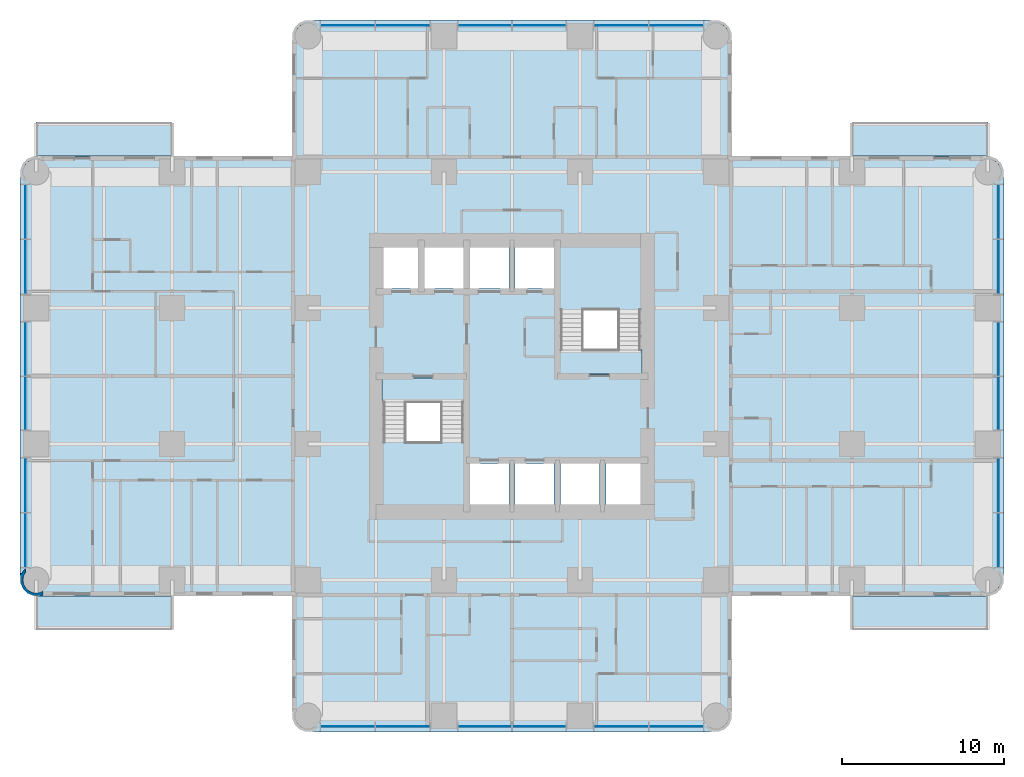
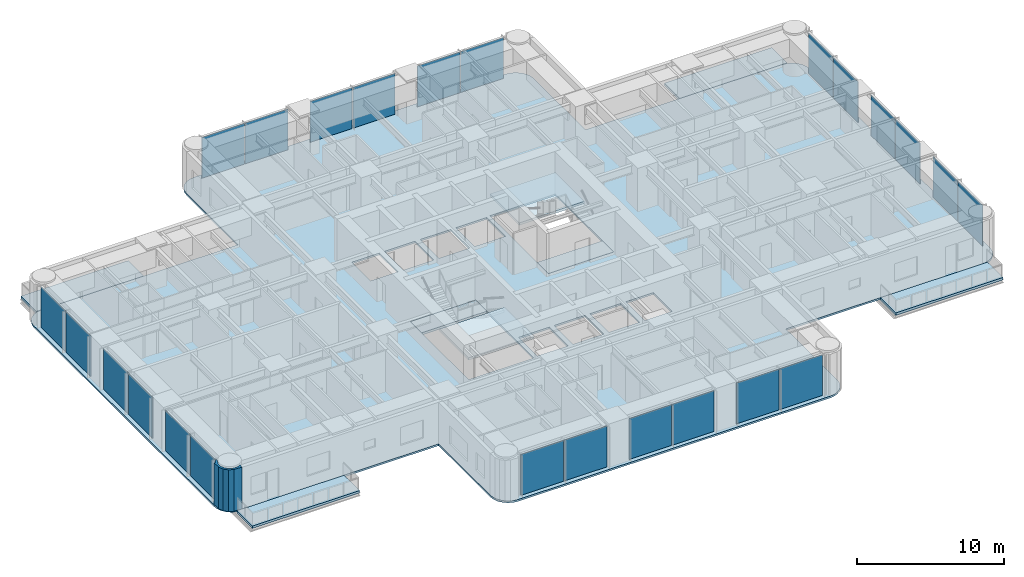
# One storey, part 5 of 14: 24 plates, 9 slabs, 1 wall, 6 elements without a shape of their own.
"""IFC4 building model written with IfcOpenShell, lengths in metres."""

import ifcopenshell
import ifcopenshell.guid

model = None  # the IFC model being written
_history = None  # IfcOwnerHistory: only IFC2X3 demands one
_inside = {}  # id of a spatial element -> (the spatial element, [elements in it])
_under = {}  # id of a project, library or spatial element -> (it, [spatial elements below it])
_declared = {}  # id of a project -> (the project, [libraries it declares])
_typed = {}  # id of a type object -> (the type object, [elements of that type])
_made_of = {}  # id of a material, layer set ... -> (it, [elements and type objects made of it])


def new_model(schema):
    """Start an empty IFC model of exactly this schema.

    Asked for "IFC4X3", IfcOpenShell would pick the latest addendum, in which some entities
    have other attributes; the version numbers below select the first issue.
    IFC2X3 requires an IfcOwnerHistory on every rooted entity: one is made here for all.
    """
    global model, _history
    if schema == "IFC4X3":
        model = ifcopenshell.file(schema_version=(4, 3, 0, 0))
    else:
        model = ifcopenshell.file(schema=schema)
    _inside.clear()
    _under.clear()
    _declared.clear()
    _typed.clear()
    _made_of.clear()
    _history = None
    if model.schema == "IFC2X3":
        org = make("IfcOrganization", Name="unknown")
        user = make(
            "IfcPersonAndOrganization",
            ThePerson=make("IfcPerson", FamilyName="unknown"),
            TheOrganization=org,
        )
        app = make(
            "IfcApplication",
            ApplicationDeveloper=org,
            Version="unknown",
            ApplicationFullName="unknown",
            ApplicationIdentifier="unknown",
        )
        _history = make(
            "IfcOwnerHistory",
            OwningUser=user,
            OwningApplication=app,
            ChangeAction="ADDED",
            CreationDate=0,
        )
    return model


def make(cls, **values):
    """One entity of the class cls with the attributes given. An attribute that is None is left unset."""
    return model.create_entity(
        cls, **{name: value for name, value in values.items() if value is not None}
    )


def rooted(cls, **values):
    """An entity with a GlobalId (a new one), such as an element, a storey or a relation."""
    return make(cls, GlobalId=ifcopenshell.guid.new(), OwnerHistory=_history, **values)


def si_unit(unit_type, name, prefix=None):
    """IfcSIUnit, for example si_unit("LENGTHUNIT", "METRE", prefix="MILLI")."""
    return make("IfcSIUnit", UnitType=unit_type, Prefix=prefix, Name=name)


def assignment(units):
    """IfcUnitAssignment: the units of a project."""
    return None if units is None else make("IfcUnitAssignment", Units=units)


def point(xyz):
    """IfcCartesianPoint."""
    return None if xyz is None else make("IfcCartesianPoint", Coordinates=xyz)


def direction(xyz):
    """IfcDirection."""
    return None if xyz is None else make("IfcDirection", DirectionRatios=xyz)


def frame(location, z_axis=None, x_axis=None):
    """IfcAxis2Placement3D, a coordinate frame: its origin and axes. An axis left out is left unset."""
    return make(
        "IfcAxis2Placement3D",
        Location=point(location),
        Axis=direction(z_axis),
        RefDirection=direction(x_axis),
    )


def frame_2d(location, x_axis=None):
    """IfcAxis2Placement2D, a coordinate frame in the plane: its origin and x axis."""
    return make(
        "IfcAxis2Placement2D", Location=point(location), RefDirection=direction(x_axis)
    )


def origin():
    """The frame at (0, 0, 0) with its axes left unset."""
    return frame((0.0, 0.0, 0.0))


def origin_2d():
    """The frame at (0, 0) in the plane with its x axis left unset."""
    return frame_2d((0.0, 0.0))


def place(relative_to, where):
    """IfcLocalPlacement: puts the frame where relative to a parent placement (None: the world)."""
    return make(
        "IfcLocalPlacement", PlacementRelTo=relative_to, RelativePlacement=where
    )


def context(
    kind, dimensions, precision=None, world=None, true_north=None, identifier=None
):
    """IfcGeometricRepresentationContext, for example the 3D "Model" context."""
    return make(
        "IfcGeometricRepresentationContext",
        ContextIdentifier=identifier,
        ContextType=kind,
        CoordinateSpaceDimension=dimensions,
        Precision=precision,
        WorldCoordinateSystem=world,
        TrueNorth=true_north,
    )


def subcontext(parent, identifier, kind, view, scale=None):
    """IfcGeometricRepresentationSubContext, for example "Body" below "Model"."""
    return make(
        "IfcGeometricRepresentationSubContext",
        ContextIdentifier=identifier,
        ContextType=kind,
        ParentContext=parent,
        TargetScale=scale,
        TargetView=view,
    )


def project(units=None, contexts=None):
    """IfcProject with its units and contexts."""
    return rooted(
        "IfcProject",
        Name="project",
        RepresentationContexts=contexts,
        UnitsInContext=assignment(units),
    )


def spatial(cls, under=None, at=None, **own):
    """A site, building, storey or space (cls), placed at a placement, below another one or the project."""
    s = rooted(cls, ObjectPlacement=at, **own)
    if under is not None:
        _under.setdefault(under.id(), (under, []))[1].append(s)
    return s


def polyline(points):
    """IfcPolyline through the points."""
    return make("IfcPolyline", Points=[point(p) for p in points])


def profile(cls, at=None, kind="AREA", **sizes):
    """A parametric profile (cls). Its sizes go by their IFC names, for example OverallWidth=200.0."""
    return make(cls, ProfileType=kind, Position=at, **sizes)


def rectangle(**sizes):
    """IfcRectangleProfileDef."""
    return profile("IfcRectangleProfileDef", **sizes)


def outline(outer, holes=None, kind="AREA"):
    """IfcArbitraryClosedProfileDef: a profile drawn as a closed curve; with holes, ...WithVoids."""
    if holes is None:
        return make("IfcArbitraryClosedProfileDef", ProfileType=kind, OuterCurve=outer)
    return make(
        "IfcArbitraryProfileDefWithVoids",
        ProfileType=kind,
        OuterCurve=outer,
        InnerCurves=holes,
    )


def extrude(swept, where, along, depth):
    """IfcExtrudedAreaSolid: the profile swept, set in the frame where, extruded along a direction by depth."""
    return make(
        "IfcExtrudedAreaSolid",
        SweptArea=swept,
        Position=where,
        ExtrudedDirection=direction(along),
        Depth=depth,
    )


def shape(context_of_items, identifier, shape_type, items):
    """IfcShapeRepresentation: the items that make up one representation, for example the "Body"."""
    return make(
        "IfcShapeRepresentation",
        ContextOfItems=context_of_items,
        RepresentationIdentifier=identifier,
        RepresentationType=shape_type,
        Items=items,
    )


def material(Name=None, Category=None):
    """IfcMaterial."""
    return make("IfcMaterial", Name=Name, Category=Category)


def layer(
    of_material, thickness, ventilated=None, Name=None, Category=None, Priority=None
):
    """IfcMaterialLayer: one layer of a wall or slab, of a material (None: an air gap)."""
    return make(
        "IfcMaterialLayer",
        Material=of_material,
        LayerThickness=thickness,
        IsVentilated=ventilated,
        Name=Name,
        Category=Category,
        Priority=Priority,
    )


def layer_set(layers, Name=None):
    """IfcMaterialLayerSet."""
    return make("IfcMaterialLayerSet", MaterialLayers=layers, LayerSetName=Name)


def made_of(thing, what):
    """Note that an element or type object is made of a material, layer set ...; save() writes the relation."""
    if what is not None:
        _made_of.setdefault(what.id(), (what, []))[1].append(thing)
    return thing


def type_object(cls, material=None, **own):
    """A type object (cls), such as IfcWallType, which elements share."""
    return made_of(rooted(cls, **own), material)


def element(
    cls,
    number,
    at=None,
    inside=None,
    cuts=None,
    type_object=None,
    material=None,
    context=None,
    identifier="Body",
    shape_type=None,
    held_by="IfcProductDefinitionShape",
    body=None,
    shapes=None,
    **own,
):
    """One element of the class cls, such as IfcWall. Its Tag is "e" and its number.

    at: its placement. inside: the storey or other place that contains it. cuts: it is an
    opening in that element (IfcRelVoidsElement). A single representation is given by context,
    identifier, shape_type and body (its items); several are given by shapes. held_by: the class
    of the entity that holds the representations. save() writes the other relations.
    """
    e = rooted(cls, Tag="e%d" % number, ObjectPlacement=at, **own)
    if body is not None:
        shapes = [shape(context, identifier, shape_type, body)]
    if shapes is not None:
        e.Representation = make(held_by, Representations=shapes)
    if inside is not None:
        _inside.setdefault(inside.id(), (inside, []))[1].append(e)
    if cuts is not None:
        rooted(
            "IfcRelVoidsElement", RelatingBuildingElement=cuts, RelatedOpeningElement=e
        )
    if type_object is not None:
        _typed.setdefault(type_object.id(), (type_object, []))[1].append(e)
    return made_of(e, material)


def aggregate(whole, parts):
    """IfcRelAggregates: a whole, such as a stair, and the parts it consists of."""
    return rooted("IfcRelAggregates", RelatingObject=whole, RelatedObjects=parts)


def save(model, path):
    """Write the relations noted so far, then the file.

    IfcRelAggregates (storeys below a building ...), IfcRelContainedInSpatialStructure (elements
    in a storey), IfcRelDefinesByType, IfcRelAssociatesMaterial and IfcRelDeclares: one each for
    every whole, place, type object, material and project.
    """
    for whole, parts in _under.values():
        aggregate(whole, parts)
    for where, things in _inside.values():
        rooted(
            "IfcRelContainedInSpatialStructure",
            RelatedElements=things,
            RelatingStructure=where,
        )
    for kind, things in _typed.values():
        rooted("IfcRelDefinesByType", RelatedObjects=things, RelatingType=kind)
    for what, things in _made_of.values():
        rooted("IfcRelAssociatesMaterial", RelatedObjects=things, RelatingMaterial=what)
    for by, libraries in _declared.values():
        rooted("IfcRelDeclares", RelatingContext=by, RelatedDefinitions=libraries)
    model.write(path)


model = new_model("IFC4")

# Units and contexts
model_context = context("Model", 3, precision=1e-05, world=origin(), true_north=direction((0.0, 1.0)))
body_context = subcontext(model_context, "Body", "Model", "MODEL_VIEW")
ifc_project = project(units=[si_unit("LENGTHUNIT", "METRE"), si_unit("AREAUNIT", "SQUARE_METRE"), si_unit("VOLUMEUNIT", "CUBIC_METRE"), si_unit("PLANEANGLEUNIT", "RADIAN"), si_unit("MASSUNIT", "GRAM", prefix="KILO")], contexts=[model_context])

# Site, building, storey
site_placement = place(None, origin())
site = spatial("IfcSite", under=ifc_project, at=site_placement, CompositionType="ELEMENT")
building_placement = place(site_placement, origin())
building = spatial("IfcBuilding", under=site, at=building_placement, Name="Torre Alcanfor", CompositionType="ELEMENT")
storey_placement = place(building_placement, frame((0.0, 0.0, 162.89990234375)))
storey = spatial("IfcBuildingStorey", under=building, at=storey_placement, Name="L42", CompositionType="ELEMENT", Elevation=162.89990234375)

# Slabs
ifc_material_1 = material(Name="Concrete f'c 35 MPa", Category="concrete")
ifc_layer_1 = layer(ifc_material_1, 0.199951171875)
ifc_layer_set_1 = layer_set([ifc_layer_1], Name="Balcony slab 200")
slab_type_1 = type_object("IfcSlabType", Name="Balcony slab 200", PredefinedType="FLOOR", material=ifc_layer_set_1)
slab_1_placement = place(storey_placement, frame((0.0, 0.0, -0.199951171875)))
element("IfcSlab", 1, at=slab_1_placement, inside=storey, type_object=slab_type_1, Name="Balcony L42-E1", PredefinedType="FLOOR", context=body_context, shape_type="SweptSolid", body=[
    extrude(outline(polyline([(50.39990234375, 43.0), (58.800048828125, 43.0), (58.800048828125, 45.10009765625), (50.39990234375, 45.10009765625), (50.39990234375, 43.0)])), origin(), (0.0, 0.0, 1.0), 0.199951171875),
])
slab_2_placement = place(storey_placement, frame((0.0, 0.0, -0.199951171875)))
element("IfcSlab", 2, at=slab_2_placement, inside=storey, type_object=slab_type_1, Name="Balcony L42-E2", PredefinedType="FLOOR", context=body_context, shape_type="SweptSolid", body=[
    extrude(outline(polyline([(50.39990234375, 13.699951171875), (58.800048828125, 13.699951171875), (58.800048828125, 15.800048828125), (50.39990234375, 15.800048828125), (50.39990234375, 13.699951171875)])), origin(), (0.0, 0.0, 1.0), 0.199951171875),
])
slab_3_placement = place(storey_placement, frame((0.0, 0.0, -0.199951171875)))
element("IfcSlab", 3, at=slab_3_placement, inside=storey, type_object=slab_type_1, Name="Balcony L42-W1", PredefinedType="FLOOR", context=body_context, shape_type="SweptSolid", body=[
    extrude(outline(polyline([(8.39990234375, 15.800048828125), (0.0, 15.800048828125), (0.0, 13.699951171875), (8.39990234375, 13.699951171875), (8.39990234375, 15.800048828125)])), origin(), (0.0, 0.0, 1.0), 0.199951171875),
])
slab_4_placement = place(storey_placement, frame((0.0, 0.0, -0.199951171875)))
element("IfcSlab", 4, at=slab_4_placement, inside=storey, type_object=slab_type_1, Name="Balcony L42-W2", PredefinedType="FLOOR", context=body_context, shape_type="SweptSolid", body=[
    extrude(outline(polyline([(8.39990234375, 45.10009765625), (0.0, 45.10009765625), (0.0, 43.0), (8.39990234375, 43.0), (8.39990234375, 45.10009765625)])), origin(), (0.0, 0.0, 1.0), 0.199951171875),
])

# Curtain wall, plates
ifc_material_2 = material(Name="Aluminium and glass", Category="aluminium")
curtain_wall_type = type_object("IfcCurtainWallType", Name="CW-A unitised apartment glazing with vertical FIN", PredefinedType="NOTDEFINED", material=ifc_material_2)
curtain_wall_1_placement = place(storey_placement, origin())
curtain_wall_1 = element("IfcCurtainWall", 5, at=curtain_wall_1_placement, inside=storey, type_object=curtain_wall_type, Name="Curtain wall CW-A L42 2", PredefinedType="NOTDEFINED")
ifc_material_3 = material(Name="Glass", Category="glass")
ifc_layer_2 = layer(ifc_material_3, 0.028076171875)
ifc_layer_set_2 = layer_set([ifc_layer_2], Name="CW-A clear double glazed unit")
plate_type = type_object("IfcPlateType", Name="CW-A clear double glazed unit", PredefinedType="CURTAIN_PANEL", material=ifc_layer_set_2)
plate_1_placement = place(storey_placement, frame((-0.64990234375, 39.541259765625, 0.0), z_axis=(0.0, 0.0, 1.0), x_axis=(0.0, -1.0, 0.0)))
plate_1 = element("IfcPlate", 6, at=plate_1_placement, type_object=plate_type, Name="CW-A panel 1.1.1", PredefinedType="CURTAIN_PANEL", context=body_context, shape_type="SweptSolid", body=[
    extrude(rectangle(XDim=3.337646484375, YDim=0.028076171875, at=origin_2d()), origin(), (0.0, 0.0, 1.0), 3.385009765625),
])
plate_2_placement = place(storey_placement, frame((-0.64990234375, 36.138671875, 0.0), z_axis=(0.0, 0.0, 1.0), x_axis=(0.0, -1.0, 0.0)))
plate_2 = element("IfcPlate", 7, at=plate_2_placement, type_object=plate_type, Name="CW-A panel 1.2.1", PredefinedType="CURTAIN_PANEL", context=body_context, shape_type="SweptSolid", body=[
    extrude(rectangle(XDim=3.337646484375, YDim=0.028076171875, at=origin_2d()), origin(), (0.0, 0.0, 1.0), 3.385009765625),
])
plate_3_placement = place(storey_placement, frame((-0.64990234375, 31.081298828125, 0.0), z_axis=(0.0, 0.0, 1.0), x_axis=(0.0, -1.0, 0.0)))
plate_3 = element("IfcPlate", 8, at=plate_3_placement, type_object=plate_type, Name="CW-A panel 2.1.1", PredefinedType="CURTAIN_PANEL", context=body_context, shape_type="SweptSolid", body=[
    extrude(rectangle(XDim=3.297607421875, YDim=0.028076171875, at=origin_2d()), origin(), (0.0, 0.0, 1.0), 3.385009765625),
])
plate_4_placement = place(storey_placement, frame((-0.64990234375, 27.71875, 0.0), z_axis=(0.0, 0.0, 1.0), x_axis=(0.0, -1.0, 0.0)))
plate_4 = element("IfcPlate", 9, at=plate_4_placement, type_object=plate_type, Name="CW-A panel 2.2.1", PredefinedType="CURTAIN_PANEL", context=body_context, shape_type="SweptSolid", body=[
    extrude(rectangle(XDim=3.297607421875, YDim=0.028076171875, at=origin_2d()), origin(), (0.0, 0.0, 1.0), 3.385009765625),
])
plate_5_placement = place(storey_placement, frame((-0.64990234375, 22.6611328125, 0.0), z_axis=(0.0, 0.0, 1.0), x_axis=(0.0, -1.0, 0.0)))
plate_5 = element("IfcPlate", 10, at=plate_5_placement, type_object=plate_type, Name="CW-A panel 3.1.1", PredefinedType="CURTAIN_PANEL", context=body_context, shape_type="SweptSolid", body=[
    extrude(rectangle(XDim=3.337646484375, YDim=0.028076171875, at=origin_2d()), origin(), (0.0, 0.0, 1.0), 3.385009765625),
])
plate_6_placement = place(storey_placement, frame((-0.64990234375, 19.2587890625, 0.0), z_axis=(0.0, 0.0, 1.0), x_axis=(0.0, -1.0, 0.0)))
plate_6 = element("IfcPlate", 11, at=plate_6_placement, type_object=plate_type, Name="CW-A panel 3.2.1", PredefinedType="CURTAIN_PANEL", context=body_context, shape_type="SweptSolid", body=[
    extrude(rectangle(XDim=3.337646484375, YDim=0.028076171875, at=origin_2d()), origin(), (0.0, 0.0, 1.0), 3.385009765625),
])
aggregate(curtain_wall_1, [plate_1, plate_2, plate_3, plate_4, plate_5, plate_6])

curtain_wall_2_placement = place(storey_placement, origin())
curtain_wall_2 = element("IfcCurtainWall", 12, at=curtain_wall_2_placement, inside=storey, type_object=curtain_wall_type, Name="Curtain wall CW-A L42 5", PredefinedType="NOTDEFINED")
plate_7_placement = place(storey_placement, frame((19.2587890625, 7.75, 0.0), z_axis=(0.0, 0.0, 1.0), x_axis=(1.0, 0.0, 0.0)))
plate_7 = element("IfcPlate", 13, at=plate_7_placement, type_object=plate_type, Name="CW-A panel 1.1.1", PredefinedType="CURTAIN_PANEL", context=body_context, shape_type="SweptSolid", body=[
    extrude(rectangle(XDim=3.337646484375, YDim=0.028076171875, at=origin_2d()), origin(), (0.0, 0.0, 1.0), 3.385009765625),
])
plate_8_placement = place(storey_placement, frame((22.6611328125, 7.75, 0.0), z_axis=(0.0, 0.0, 1.0), x_axis=(1.0, 0.0, 0.0)))
plate_8 = element("IfcPlate", 14, at=plate_8_placement, type_object=plate_type, Name="CW-A panel 1.2.1", PredefinedType="CURTAIN_PANEL", context=body_context, shape_type="SweptSolid", body=[
    extrude(rectangle(XDim=3.337646484375, YDim=0.028076171875, at=origin_2d()), origin(), (0.0, 0.0, 1.0), 3.385009765625),
])
plate_9_placement = place(storey_placement, frame((27.71875, 7.75, 0.0), z_axis=(0.0, 0.0, 1.0), x_axis=(1.0, 0.0, 0.0)))
plate_9 = element("IfcPlate", 15, at=plate_9_placement, type_object=plate_type, Name="CW-A panel 2.1.1", PredefinedType="CURTAIN_PANEL", context=body_context, shape_type="SweptSolid", body=[
    extrude(rectangle(XDim=3.297607421875, YDim=0.028076171875, at=origin_2d()), origin(), (0.0, 0.0, 1.0), 3.385009765625),
])
plate_10_placement = place(storey_placement, frame((31.081298828125, 7.75, 0.0), z_axis=(0.0, 0.0, 1.0), x_axis=(1.0, 0.0, 0.0)))
plate_10 = element("IfcPlate", 16, at=plate_10_placement, type_object=plate_type, Name="CW-A panel 2.2.1", PredefinedType="CURTAIN_PANEL", context=body_context, shape_type="SweptSolid", body=[
    extrude(rectangle(XDim=3.297607421875, YDim=0.028076171875, at=origin_2d()), origin(), (0.0, 0.0, 1.0), 3.385009765625),
])
plate_11_placement = place(storey_placement, frame((36.138671875, 7.75, 0.0), z_axis=(0.0, 0.0, 1.0), x_axis=(1.0, 0.0, 0.0)))
plate_11 = element("IfcPlate", 17, at=plate_11_placement, type_object=plate_type, Name="CW-A panel 3.1.1", PredefinedType="CURTAIN_PANEL", context=body_context, shape_type="SweptSolid", body=[
    extrude(rectangle(XDim=3.337646484375, YDim=0.028076171875, at=origin_2d()), origin(), (0.0, 0.0, 1.0), 3.385009765625),
])
plate_12_placement = place(storey_placement, frame((39.541259765625, 7.75, 0.0), z_axis=(0.0, 0.0, 1.0), x_axis=(1.0, 0.0, 0.0)))
plate_12 = element("IfcPlate", 18, at=plate_12_placement, type_object=plate_type, Name="CW-A panel 3.2.1", PredefinedType="CURTAIN_PANEL", context=body_context, shape_type="SweptSolid", body=[
    extrude(rectangle(XDim=3.337646484375, YDim=0.028076171875, at=origin_2d()), origin(), (0.0, 0.0, 1.0), 3.385009765625),
])
aggregate(curtain_wall_2, [plate_7, plate_8, plate_9, plate_10, plate_11, plate_12])

curtain_wall_3_placement = place(storey_placement, origin())
curtain_wall_3 = element("IfcCurtainWall", 19, at=curtain_wall_3_placement, inside=storey, type_object=curtain_wall_type, Name="Curtain wall CW-A L42 8", PredefinedType="NOTDEFINED")
plate_13_placement = place(storey_placement, frame((59.449951171875, 19.2587890625, 0.0), z_axis=(0.0, 0.0, 1.0), x_axis=(0.0, 1.0, 0.0)))
plate_13 = element("IfcPlate", 20, at=plate_13_placement, type_object=plate_type, Name="CW-A panel 1.1.1", PredefinedType="CURTAIN_PANEL", context=body_context, shape_type="SweptSolid", body=[
    extrude(rectangle(XDim=3.337646484375, YDim=0.028076171875, at=origin_2d()), origin(), (0.0, 0.0, 1.0), 3.385009765625),
])
plate_14_placement = place(storey_placement, frame((59.449951171875, 22.6611328125, 0.0), z_axis=(0.0, 0.0, 1.0), x_axis=(0.0, 1.0, 0.0)))
plate_14 = element("IfcPlate", 21, at=plate_14_placement, type_object=plate_type, Name="CW-A panel 1.2.1", PredefinedType="CURTAIN_PANEL", context=body_context, shape_type="SweptSolid", body=[
    extrude(rectangle(XDim=3.337646484375, YDim=0.028076171875, at=origin_2d()), origin(), (0.0, 0.0, 1.0), 3.385009765625),
])
plate_15_placement = place(storey_placement, frame((59.449951171875, 27.71875, 0.0), z_axis=(0.0, 0.0, 1.0), x_axis=(0.0, 1.0, 0.0)))
plate_15 = element("IfcPlate", 22, at=plate_15_placement, type_object=plate_type, Name="CW-A panel 2.1.1", PredefinedType="CURTAIN_PANEL", context=body_context, shape_type="SweptSolid", body=[
    extrude(rectangle(XDim=3.297607421875, YDim=0.028076171875, at=origin_2d()), origin(), (0.0, 0.0, 1.0), 3.385009765625),
])
plate_16_placement = place(storey_placement, frame((59.449951171875, 31.081298828125, 0.0), z_axis=(0.0, 0.0, 1.0), x_axis=(0.0, 1.0, 0.0)))
plate_16 = element("IfcPlate", 23, at=plate_16_placement, type_object=plate_type, Name="CW-A panel 2.2.1", PredefinedType="CURTAIN_PANEL", context=body_context, shape_type="SweptSolid", body=[
    extrude(rectangle(XDim=3.297607421875, YDim=0.028076171875, at=origin_2d()), origin(), (0.0, 0.0, 1.0), 3.385009765625),
])
plate_17_placement = place(storey_placement, frame((59.449951171875, 36.138671875, 0.0), z_axis=(0.0, 0.0, 1.0), x_axis=(0.0, 1.0, 0.0)))
plate_17 = element("IfcPlate", 24, at=plate_17_placement, type_object=plate_type, Name="CW-A panel 3.1.1", PredefinedType="CURTAIN_PANEL", context=body_context, shape_type="SweptSolid", body=[
    extrude(rectangle(XDim=3.337646484375, YDim=0.028076171875, at=origin_2d()), origin(), (0.0, 0.0, 1.0), 3.385009765625),
])
plate_18_placement = place(storey_placement, frame((59.449951171875, 39.541259765625, 0.0), z_axis=(0.0, 0.0, 1.0), x_axis=(0.0, 1.0, 0.0)))
plate_18 = element("IfcPlate", 25, at=plate_18_placement, type_object=plate_type, Name="CW-A panel 3.2.1", PredefinedType="CURTAIN_PANEL", context=body_context, shape_type="SweptSolid", body=[
    extrude(rectangle(XDim=3.337646484375, YDim=0.028076171875, at=origin_2d()), origin(), (0.0, 0.0, 1.0), 3.385009765625),
])
aggregate(curtain_wall_3, [plate_13, plate_14, plate_15, plate_16, plate_17, plate_18])

curtain_wall_4_placement = place(storey_placement, origin())
curtain_wall_4 = element("IfcCurtainWall", 26, at=curtain_wall_4_placement, inside=storey, type_object=curtain_wall_type, Name="Curtain wall CW-A L42 11", PredefinedType="NOTDEFINED")
plate_19_placement = place(storey_placement, frame((39.541259765625, 51.050048828125, 0.0), z_axis=(0.0, 0.0, 1.0), x_axis=(-1.0, 0.0, 0.0)))
plate_19 = element("IfcPlate", 27, at=plate_19_placement, type_object=plate_type, Name="CW-A panel 1.1.1", PredefinedType="CURTAIN_PANEL", context=body_context, shape_type="SweptSolid", body=[
    extrude(rectangle(XDim=3.337646484375, YDim=0.028076171875, at=origin_2d()), origin(), (0.0, 0.0, 1.0), 3.385009765625),
])
plate_20_placement = place(storey_placement, frame((36.138671875, 51.050048828125, 0.0), z_axis=(0.0, 0.0, 1.0), x_axis=(-1.0, 0.0, 0.0)))
plate_20 = element("IfcPlate", 28, at=plate_20_placement, type_object=plate_type, Name="CW-A panel 1.2.1", PredefinedType="CURTAIN_PANEL", context=body_context, shape_type="SweptSolid", body=[
    extrude(rectangle(XDim=3.337646484375, YDim=0.028076171875, at=origin_2d()), origin(), (0.0, 0.0, 1.0), 3.385009765625),
])
plate_21_placement = place(storey_placement, frame((31.081298828125, 51.050048828125, 0.0), z_axis=(0.0, 0.0, 1.0), x_axis=(-1.0, 0.0, 0.0)))
plate_21 = element("IfcPlate", 29, at=plate_21_placement, type_object=plate_type, Name="CW-A panel 2.1.1", PredefinedType="CURTAIN_PANEL", context=body_context, shape_type="SweptSolid", body=[
    extrude(rectangle(XDim=3.297607421875, YDim=0.028076171875, at=origin_2d()), origin(), (0.0, 0.0, 1.0), 3.385009765625),
])
plate_22_placement = place(storey_placement, frame((27.71875, 51.050048828125, 0.0), z_axis=(0.0, 0.0, 1.0), x_axis=(-1.0, 0.0, 0.0)))
plate_22 = element("IfcPlate", 30, at=plate_22_placement, type_object=plate_type, Name="CW-A panel 2.2.1", PredefinedType="CURTAIN_PANEL", context=body_context, shape_type="SweptSolid", body=[
    extrude(rectangle(XDim=3.297607421875, YDim=0.028076171875, at=origin_2d()), origin(), (0.0, 0.0, 1.0), 3.385009765625),
])
plate_23_placement = place(storey_placement, frame((22.6611328125, 51.050048828125, 0.0), z_axis=(0.0, 0.0, 1.0), x_axis=(-1.0, 0.0, 0.0)))
plate_23 = element("IfcPlate", 31, at=plate_23_placement, type_object=plate_type, Name="CW-A panel 3.1.1", PredefinedType="CURTAIN_PANEL", context=body_context, shape_type="SweptSolid", body=[
    extrude(rectangle(XDim=3.337646484375, YDim=0.028076171875, at=origin_2d()), origin(), (0.0, 0.0, 1.0), 3.385009765625),
])
plate_24_placement = place(storey_placement, frame((19.2587890625, 51.050048828125, 0.0), z_axis=(0.0, 0.0, 1.0), x_axis=(-1.0, 0.0, 0.0)))
plate_24 = element("IfcPlate", 32, at=plate_24_placement, type_object=plate_type, Name="CW-A panel 3.2.1", PredefinedType="CURTAIN_PANEL", context=body_context, shape_type="SweptSolid", body=[
    extrude(rectangle(XDim=3.337646484375, YDim=0.028076171875, at=origin_2d()), origin(), (0.0, 0.0, 1.0), 3.385009765625),
])
aggregate(curtain_wall_4, [plate_19, plate_20, plate_21, plate_22, plate_23, plate_24])

# Slab
ifc_material_4 = material(Name="Concrete f'c 35 MPa", Category="concrete")
ifc_layer_3 = layer(ifc_material_4, 0.14990234375)
ifc_layer_set_3 = layer_set([ifc_layer_3], Name="Composite floor 150 on metal deck")
slab_type_2 = type_object("IfcSlabType", Name="Composite floor 150 on metal deck", PredefinedType="FLOOR", material=ifc_layer_set_3)
slab_5_placement = place(storey_placement, frame((0.0, 0.0, -0.14990234375)))
element("IfcSlab", 33, at=slab_5_placement, inside=storey, type_object=slab_type_2, Name="Floor slab L42", PredefinedType="FLOOR", context=body_context, shape_type="SweptSolid", body=[
    extrude(outline(polyline([(15.800048828125, 43.0), (0.39990234375, 43.0), (0.03759765625, 42.952392578125), (-0.300048828125, 42.8125), (-0.58984375, 42.58984375), (-0.8125, 42.300048828125), (-0.952392578125, 41.96240234375), (-1.0, 41.60009765625), (-1.0, 17.199951171875), (-0.952392578125, 16.837646484375), (-0.8125, 16.5), (-0.58984375, 16.210205078125), (-0.300048828125, 15.987548828125), (0.03759765625, 15.84765625), (0.39990234375, 15.800048828125), (15.800048828125, 15.800048828125), (15.800048828125, 8.800048828125), (15.84765625, 8.437744140625), (15.987548828125, 8.10009765625), (16.210205078125, 7.81005859375), (16.5, 7.587646484375), (16.837646484375, 7.44775390625), (17.199951171875, 7.39990234375), (41.60009765625, 7.39990234375), (41.96240234375, 7.44775390625), (42.300048828125, 7.587646484375), (42.58984375, 7.81005859375), (42.8125, 8.10009765625), (42.952392578125, 8.437744140625), (43.0, 8.800048828125), (43.0, 15.800048828125), (58.39990234375, 15.800048828125), (58.76220703125, 15.84765625), (59.10009765625, 15.987548828125), (59.389892578125, 16.210205078125), (59.6123046875, 16.5), (59.752197265625, 16.837646484375), (59.800048828125, 17.199951171875), (59.800048828125, 41.60009765625), (59.752197265625, 41.96240234375), (59.6123046875, 42.300048828125), (59.389892578125, 42.58984375), (59.10009765625, 42.8125), (58.76220703125, 42.952392578125), (58.39990234375, 43.0), (43.0, 43.0), (43.0, 50.0), (42.952392578125, 50.3623046875), (42.8125, 50.699951171875), (42.58984375, 50.989990234375), (42.300048828125, 51.21240234375), (41.96240234375, 51.352294921875), (41.60009765625, 51.39990234375), (17.199951171875, 51.39990234375), (16.837646484375, 51.352294921875), (16.5, 51.21240234375), (16.210205078125, 50.989990234375), (15.987548828125, 50.699951171875), (15.84765625, 50.3623046875), (15.800048828125, 50.0), (15.800048828125, 43.0)]), holes=[polyline([(21.3701171875, 21.3701171875), (26.47998046875, 21.3701171875), (26.47998046875, 29.280029296875), (21.3701171875, 29.280029296875), (21.3701171875, 21.3701171875)]), polyline([(32.320068359375, 29.52001953125), (37.429931640625, 29.52001953125), (37.429931640625, 37.429931640625), (32.320068359375, 37.429931640625), (32.320068359375, 29.52001953125)]), polyline([(26.800048828125, 21.449951171875), (29.199951171875, 21.449951171875), (29.199951171875, 24.0), (26.800048828125, 24.0), (26.800048828125, 21.449951171875)]), polyline([(29.60009765625, 21.449951171875), (32.0, 21.449951171875), (32.0, 24.0), (29.60009765625, 24.0), (29.60009765625, 21.449951171875)]), polyline([(32.39990234375, 21.449951171875), (34.800048828125, 21.449951171875), (34.800048828125, 24.0), (32.39990234375, 24.0), (32.39990234375, 21.449951171875)]), polyline([(35.199951171875, 21.449951171875), (37.35009765625, 21.449951171875), (37.35009765625, 24.0), (35.199951171875, 24.0), (35.199951171875, 21.449951171875)]), polyline([(21.449951171875, 34.800048828125), (23.60009765625, 34.800048828125), (23.60009765625, 37.35009765625), (21.449951171875, 37.35009765625), (21.449951171875, 34.800048828125)]), polyline([(24.0, 34.800048828125), (26.39990234375, 34.800048828125), (26.39990234375, 37.35009765625), (24.0, 37.35009765625), (24.0, 34.800048828125)]), polyline([(26.800048828125, 34.800048828125), (29.199951171875, 34.800048828125), (29.199951171875, 37.35009765625), (26.800048828125, 37.35009765625), (26.800048828125, 34.800048828125)]), polyline([(29.60009765625, 34.800048828125), (32.0, 34.800048828125), (32.0, 37.35009765625), (29.60009765625, 37.35009765625), (29.60009765625, 34.800048828125)])]), origin(), (0.0, 0.0, 1.0), 0.14990234375),
])

# Stair, slabs
ifc_material_5 = material(Name="Concrete f'c 35 MPa", Category="concrete")
stair_type_1 = type_object("IfcStairType", Name="Exit stair S1 1400 wide", PredefinedType="HALF_TURN_STAIR", material=ifc_material_5)
stair_1_placement = place(storey_placement, origin())
stair_1 = element("IfcStair", 34, at=stair_1_placement, inside=storey, type_object=stair_type_1, Name="Stair S1 L42 to L43", PredefinedType="HALF_TURN_STAIR")
ifc_material_6 = material(Name="Concrete f'c 35 MPa", Category="concrete")
ifc_layer_4 = layer(ifc_material_6, 0.199951171875)
ifc_layer_set_4 = layer_set([ifc_layer_4], Name="Stair landing 200")
slab_type_3 = type_object("IfcSlabType", Name="Stair landing 200", PredefinedType="LANDING", material=ifc_layer_set_4)
slab_6_placement = place(storey_placement, frame((0.0, 0.0, -0.199951171875)))
slab_6 = element("IfcSlab", 35, at=slab_6_placement, type_object=slab_type_3, Name="S1 landing 1", PredefinedType="LANDING", context=body_context, shape_type="SweptSolid", body=[
    extrude(outline(polyline([(21.3701171875, 27.75), (26.47998046875, 27.75), (26.47998046875, 29.280029296875), (21.3701171875, 29.280029296875), (21.3701171875, 27.75)])), origin(), (0.0, 0.0, 1.0), 0.199951171875),
])
slab_7_placement = place(storey_placement, frame((0.0, 0.0, 1.60009765625)))
slab_7 = element("IfcSlab", 36, at=slab_7_placement, type_object=slab_type_3, Name="S1 landing 2", PredefinedType="LANDING", context=body_context, shape_type="SweptSolid", body=[
    extrude(outline(polyline([(21.3701171875, 21.3701171875), (26.47998046875, 21.3701171875), (26.47998046875, 25.330078125), (21.3701171875, 25.330078125), (21.3701171875, 21.3701171875)])), origin(), (0.0, 0.0, 1.0), 0.199951171875),
])
aggregate(stair_1, [slab_6, slab_7])

ifc_material_7 = material(Name="Concrete f'c 35 MPa", Category="concrete")
stair_type_2 = type_object("IfcStairType", Name="Exit stair S2 1400 wide", PredefinedType="HALF_TURN_STAIR", material=ifc_material_7)
stair_2_placement = place(storey_placement, origin())
stair_2 = element("IfcStair", 37, at=stair_2_placement, inside=storey, type_object=stair_type_2, Name="Stair S2 L42 to L43", PredefinedType="HALF_TURN_STAIR")
slab_8_placement = place(storey_placement, frame((0.0, 0.0, -0.199951171875)))
slab_8 = element("IfcSlab", 38, at=slab_8_placement, type_object=slab_type_3, Name="S2 landing 1", PredefinedType="LANDING", context=body_context, shape_type="SweptSolid", body=[
    extrude(outline(polyline([(32.320068359375, 29.52001953125), (37.429931640625, 29.52001953125), (37.429931640625, 31.050048828125), (32.320068359375, 31.050048828125), (32.320068359375, 29.52001953125)])), origin(), (0.0, 0.0, 1.0), 0.199951171875),
])
slab_9_placement = place(storey_placement, frame((0.0, 0.0, 1.60009765625)))
slab_9 = element("IfcSlab", 39, at=slab_9_placement, type_object=slab_type_3, Name="S2 landing 2", PredefinedType="LANDING", context=body_context, shape_type="SweptSolid", body=[
    extrude(outline(polyline([(32.320068359375, 33.469970703125), (37.429931640625, 33.469970703125), (37.429931640625, 37.429931640625), (32.320068359375, 37.429931640625), (32.320068359375, 33.469970703125)])), origin(), (0.0, 0.0, 1.0), 0.199951171875),
])
aggregate(stair_2, [slab_8, slab_9])

# Wall
ifc_material_8 = material(Name="Limestone cladding", Category="masonry")
ifc_layer_5 = layer(ifc_material_8, 0.0400390625, Name="Facing")
ifc_material_9 = material(Name="Ventilated air cavity")
ifc_layer_6 = layer(ifc_material_9, 0.02001953125, ventilated=True, Name="Ventilated joint")
ifc_material_10 = material(Name="Mineral wool insulation", Category="insulation")
ifc_layer_7 = layer(ifc_material_10, 0.10009765625, Name="Insulation")
ifc_material_11 = material(Name="Concrete f'c 35 MPa", Category="concrete")
ifc_layer_8 = layer(ifc_material_11, 0.139892578125, Name="Backing")
ifc_layer_set_5 = layer_set([ifc_layer_5, ifc_layer_6, ifc_layer_7, ifc_layer_8], Name="Rounded corner pier stone-clad 300")
wall_type = type_object("IfcWallType", Name="Rounded corner pier stone-clad 300", PredefinedType="SOLIDWALL", material=ifc_layer_set_5)
wall_placement = place(storey_placement, frame((-0.595317512, 17.448071802, 0.0), z_axis=(0.0, 0.0, 1.0), x_axis=(-0.93923434088, -0.343276641956, 0.0)))
element("IfcWall", 40, at=wall_placement, inside=storey, type_object=wall_type, Name="Corner pier L42 14", PredefinedType="SOLIDWALL", context=body_context, shape_type="SweptSolid", body=[
    extrude(outline(polyline([(-0.36901687290747565, 1.8895155017116005), (-0.5091640790076659, 1.6212761977701722), (-0.4905903530283585, 1.6144877680830545), (-0.47948243923657013, 1.6086084348003613), (-0.21122522327048593, 1.6199972505432854), (0.08778883447046232, 1.5107119133580826), (0.3225108976454373, 1.2952164137736593), (0.4570343816413681, 1.0061292766156664), (0.470385530542732, 0.6877670550734887), (0.36101638558361415, 0.38852369207353665), (0.14552088599919094, 0.15380162889856172), (0.10803112982284666, 0.13657123594691412), (0.030844170047101382, -0.07461890759558078), (0.24094301513563465, 0.023009904898978376), (0.3335722649355225, 0.12354205241220817), (0.46526570659148436, 0.09412537095504334), (0.5319165148651629, 0.3931255880778293), (0.6305582647631567, 0.6630178779252955), (0.6143066479271062, 1.0445648337608835), (0.4533864294189357, 1.390867848169107), (0.172157378959642, 1.6490946263605986), (-0.09750560562882049, 1.747652568484677), (-0.36901687290747565, 1.8895155017116005)])), origin(), (0.0, 0.0, 1.0), 3.4501953125),
])

save(model, "model.ifc")
